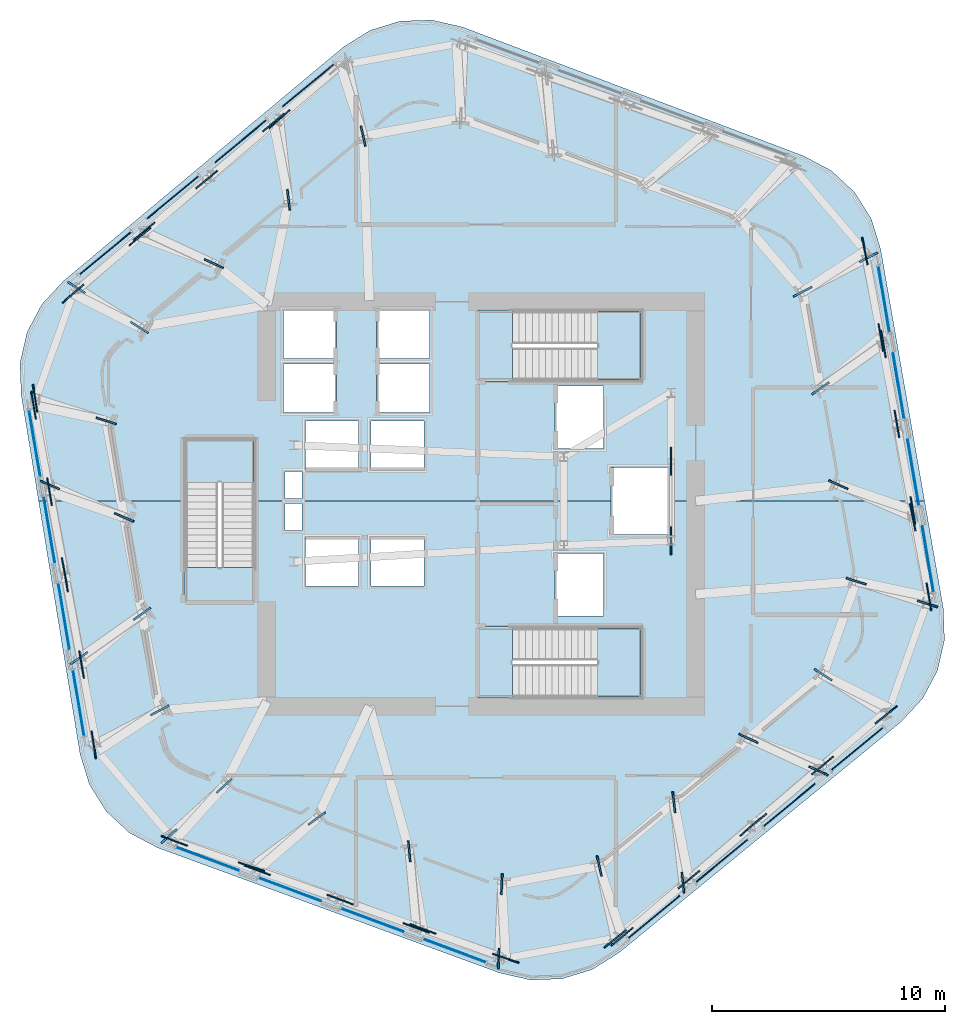
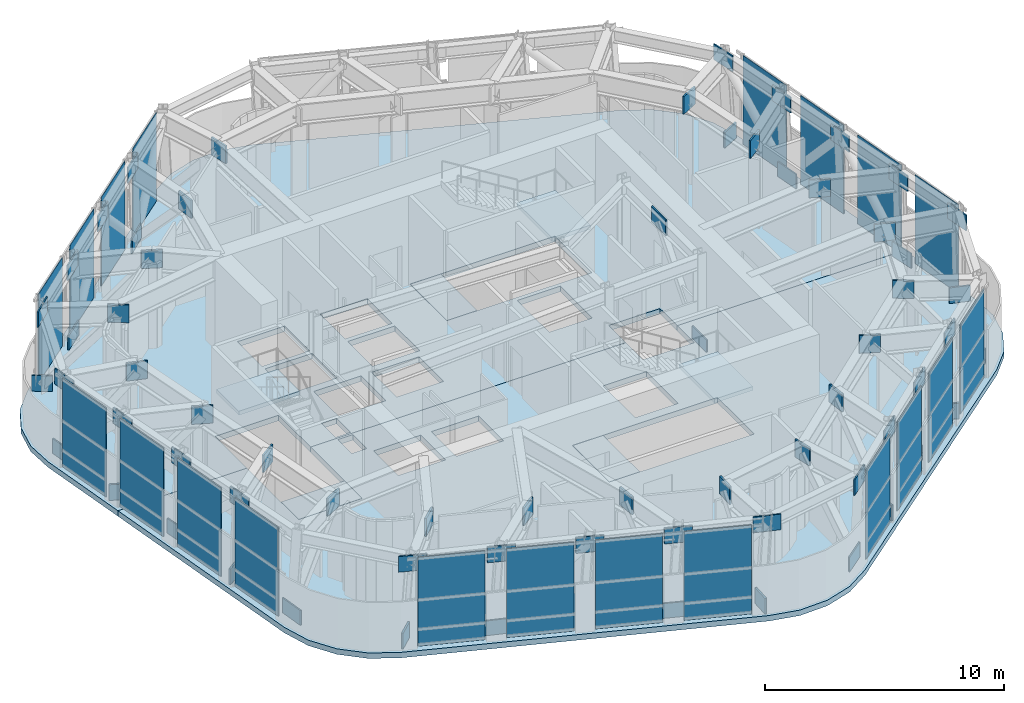
# One storey, part 7 of 16: 85 plates, 8 slabs, 8 elements without a shape of their own.
"""IFC4 building model written with IfcOpenShell, lengths in metres."""

from ifc_helpers import new_model, si_unit, direction, frame, origin, origin_2d, place, context, subcontext, project, spatial, polyline, rectangle, outline, extrude, material, layer, layer_set, type_object, element, aggregate, save


model = new_model("IFC4")

# Units and contexts
model_context = context("Model", 3, precision=1e-05, world=origin(), true_north=direction((0.0, 1.0)))
body_context = subcontext(model_context, "Body", "Model", "MODEL_VIEW")
ifc_project = project(units=[si_unit("LENGTHUNIT", "METRE"), si_unit("AREAUNIT", "SQUARE_METRE"), si_unit("VOLUMEUNIT", "CUBIC_METRE"), si_unit("PLANEANGLEUNIT", "RADIAN"), si_unit("MASSUNIT", "GRAM", prefix="KILO")], contexts=[model_context])

# Site, building, storey
site_placement = place(None, origin())
site = spatial("IfcSite", under=ifc_project, at=site_placement, CompositionType="ELEMENT")
building_placement = place(site_placement, origin())
building = spatial("IfcBuilding", under=site, at=building_placement, Name="Valkerne Bourse Tower", CompositionType="ELEMENT")
storey_placement = place(building_placement, frame((0.0, 0.0, 193.199951171875)))
storey = spatial("IfcBuildingStorey", under=building, at=storey_placement, Name="L49", CompositionType="ELEMENT", Elevation=193.199951171875)

# Curtain wall, plates
ifc_material_1 = material(Name="Aluminium AA 6063-T6", Category="aluminium")
ifc_layer_1 = layer(ifc_material_1, 0.25)
ifc_layer_set_1 = layer_set([ifc_layer_1], Name="Aluminium AA 6063-T6")
curtain_wall_type = type_object("IfcCurtainWallType", Name="CW-06", PredefinedType="NOTDEFINED", material=ifc_layer_set_1)
curtain_wall_1_placement = place(storey_placement, origin())
curtain_wall_1 = element("IfcCurtainWall", 1, at=curtain_wall_1_placement, inside=storey, type_object=curtain_wall_type, Name="L49 Hexagonal Stick Curtain Wall Face 2", PredefinedType="NOTDEFINED")
ifc_material_2 = material(Name="Bronze Anodised Aluminium AA 6063-T6", Category="aluminium")
ifc_layer_2 = layer(ifc_material_2, 0.0400390625)
ifc_layer_set_2 = layer_set([ifc_layer_2], Name="Bronze Anodised Aluminium AA 6063-T6")
plate_type_1 = type_object("IfcPlateType", Name="CW-PNL-LOUVRE-40", PredefinedType="CURTAIN_PANEL", material=ifc_layer_set_2)
plate_1_placement = place(storey_placement, frame((39.376708984375, 44.84716796875, 0.030029296875), z_axis=(0.0, 0.0, 1.0), x_axis=(-0.770503001355, -0.637436369297, 0.0)))
plate_1 = element("IfcPlate", 2, at=plate_1_placement, type_object=plate_type_1, Name="CW-L49-F2 Curtain Panel 00", PredefinedType="CURTAIN_PANEL", context=body_context, shape_type="SweptSolid", body=[
    extrude(rectangle(XDim=2.85107421875, YDim=0.0400390625, at=origin_2d()), origin(), (0.0, 0.0, 1.0), 4.5400390625),
])
plate_2_placement = place(storey_placement, frame((36.47119140625, 42.443359375, 0.030029296875), z_axis=(0.0, 0.0, 1.0), x_axis=(-0.770516025568, -0.637420625915, 0.0)))
plate_2 = element("IfcPlate", 3, at=plate_2_placement, type_object=plate_type_1, Name="CW-L49-F2 Curtain Panel 01", PredefinedType="CURTAIN_PANEL", context=body_context, shape_type="SweptSolid", body=[
    extrude(rectangle(XDim=2.85107421875, YDim=0.0400390625, at=origin_2d()), origin(), (0.0, 0.0, 1.0), 4.5400390625),
])
plate_3_placement = place(storey_placement, frame((33.565673828125, 40.039794921875, 0.030029296875), z_axis=(0.0, 0.0, 1.0), x_axis=(-0.770516025568, -0.637420625915, 0.0)))
plate_3 = element("IfcPlate", 4, at=plate_3_placement, type_object=plate_type_1, Name="CW-L49-F2 Curtain Panel 02", PredefinedType="CURTAIN_PANEL", context=body_context, shape_type="SweptSolid", body=[
    extrude(rectangle(XDim=2.85107421875, YDim=0.0400390625, at=origin_2d()), origin(), (0.0, 0.0, 1.0), 4.5400390625),
])
plate_4_placement = place(storey_placement, frame((30.659912109375, 37.635986328125, 0.030029296875), z_axis=(0.0, 0.0, 1.0), x_axis=(-0.770503001355, -0.637436369297, 0.0)))
plate_4 = element("IfcPlate", 5, at=plate_4_placement, type_object=plate_type_1, Name="CW-L49-F2 Curtain Panel 03", PredefinedType="CURTAIN_PANEL", context=body_context, shape_type="SweptSolid", body=[
    extrude(rectangle(XDim=2.85107421875, YDim=0.0400390625, at=origin_2d()), origin(), (0.0, 0.0, 1.0), 4.5400390625),
])
aggregate(curtain_wall_1, [plate_1, plate_2, plate_3, plate_4])

curtain_wall_2_placement = place(storey_placement, origin())
curtain_wall_2 = element("IfcCurtainWall", 6, at=curtain_wall_2_placement, inside=storey, type_object=curtain_wall_type, Name="L49 Hexagonal Stick Curtain Wall Face 3", PredefinedType="NOTDEFINED")
plate_5_placement = place(storey_placement, frame((27.63232421875, 29.494873046875, 0.030029296875), z_axis=(0.0, 0.0, 1.0), x_axis=(0.166772238259, -0.985995446514, 0.0)))
plate_5 = element("IfcPlate", 7, at=plate_5_placement, type_object=plate_type_1, Name="CW-L49-F3 Curtain Panel 00", PredefinedType="CURTAIN_PANEL", context=body_context, shape_type="SweptSolid", body=[
    extrude(rectangle(XDim=2.85107421875, YDim=0.0400390625, at=origin_2d()), origin(), (0.0, 0.0, 1.0), 4.5400390625),
])
plate_6_placement = place(storey_placement, frame((28.26123046875, 25.776611328125, 0.030029296875), z_axis=(0.0, 0.0, 1.0), x_axis=(0.166746457546, -0.985999806742, 0.0)))
plate_6 = element("IfcPlate", 8, at=plate_6_placement, type_object=plate_type_1, Name="CW-L49-F3 Curtain Panel 01", PredefinedType="CURTAIN_PANEL", context=body_context, shape_type="SweptSolid", body=[
    extrude(rectangle(XDim=2.85107421875, YDim=0.0400390625, at=origin_2d()), origin(), (0.0, 0.0, 1.0), 4.5400390625),
])
plate_7_placement = place(storey_placement, frame((28.889892578125, 22.05859375, 0.030029296875), z_axis=(0.0, 0.0, 1.0), x_axis=(0.166772238259, -0.985995446514, 0.0)))
plate_7 = element("IfcPlate", 9, at=plate_7_placement, type_object=plate_type_1, Name="CW-L49-F3 Curtain Panel 02", PredefinedType="CURTAIN_PANEL", context=body_context, shape_type="SweptSolid", body=[
    extrude(rectangle(XDim=2.85107421875, YDim=0.0400390625, at=origin_2d()), origin(), (0.0, 0.0, 1.0), 4.5400390625),
])
plate_8_placement = place(storey_placement, frame((29.518798828125, 18.34033203125, 0.030029296875), z_axis=(0.0, 0.0, 1.0), x_axis=(0.166772238259, -0.985995446514, 0.0)))
plate_8 = element("IfcPlate", 10, at=plate_8_placement, type_object=plate_type_1, Name="CW-L49-F3 Curtain Panel 03", PredefinedType="CURTAIN_PANEL", context=body_context, shape_type="SweptSolid", body=[
    extrude(rectangle(XDim=2.85107421875, YDim=0.0400390625, at=origin_2d()), origin(), (0.0, 0.0, 1.0), 4.5400390625),
])
aggregate(curtain_wall_2, [plate_5, plate_6, plate_7, plate_8])

curtain_wall_3_placement = place(storey_placement, origin())
curtain_wall_3 = element("IfcCurtainWall", 11, at=curtain_wall_3_placement, inside=storey, type_object=curtain_wall_type, Name="L49 Hexagonal Stick Curtain Wall Face 4", PredefinedType="NOTDEFINED")
plate_9_placement = place(storey_placement, frame((35.055419921875, 11.647705078125, 0.030029296875), z_axis=(0.0, 0.0, 1.0), x_axis=(0.937279283548, -0.348579323298, 0.0)))
plate_9 = element("IfcPlate", 12, at=plate_9_placement, type_object=plate_type_1, Name="CW-L49-F4 Curtain Panel 00", PredefinedType="CURTAIN_PANEL", context=body_context, shape_type="SweptSolid", body=[
    extrude(rectangle(XDim=2.85107421875, YDim=0.0400390625, at=origin_2d()), origin(), (0.0, 0.0, 1.0), 4.5400390625),
])
plate_10_placement = place(storey_placement, frame((38.590087890625, 10.333251953125, 0.030029296875), z_axis=(0.0, 0.0, 1.0), x_axis=(0.9372879472, -0.348556027107, 0.0)))
plate_10 = element("IfcPlate", 13, at=plate_10_placement, type_object=plate_type_1, Name="CW-L49-F4 Curtain Panel 01", PredefinedType="CURTAIN_PANEL", context=body_context, shape_type="SweptSolid", body=[
    extrude(rectangle(XDim=2.850830078125, YDim=0.0400390625, at=origin_2d()), origin(), (0.0, 0.0, 1.0), 4.5400390625),
])
plate_11_placement = place(storey_placement, frame((42.12451171875, 9.018798828125, 0.030029296875), z_axis=(0.0, 0.0, 1.0), x_axis=(0.937279283548, -0.348579323298, 0.0)))
plate_11 = element("IfcPlate", 14, at=plate_11_placement, type_object=plate_type_1, Name="CW-L49-F4 Curtain Panel 02", PredefinedType="CURTAIN_PANEL", context=body_context, shape_type="SweptSolid", body=[
    extrude(rectangle(XDim=2.85107421875, YDim=0.0400390625, at=origin_2d()), origin(), (0.0, 0.0, 1.0), 4.5400390625),
])
plate_12_placement = place(storey_placement, frame((45.658935546875, 7.704345703125, 0.030029296875), z_axis=(0.0, 0.0, 1.0), x_axis=(0.937279283548, -0.348579323298, 0.0)))
plate_12 = element("IfcPlate", 15, at=plate_12_placement, type_object=plate_type_1, Name="CW-L49-F4 Curtain Panel 03", PredefinedType="CURTAIN_PANEL", context=body_context, shape_type="SweptSolid", body=[
    extrude(rectangle(XDim=2.85107421875, YDim=0.0400390625, at=origin_2d()), origin(), (0.0, 0.0, 1.0), 4.5400390625),
])
aggregate(curtain_wall_3, [plate_9, plate_10, plate_11, plate_12])

curtain_wall_4_placement = place(storey_placement, origin())
curtain_wall_4 = element("IfcCurtainWall", 16, at=curtain_wall_4_placement, inside=storey, type_object=curtain_wall_type, Name="L49 Hexagonal Stick Curtain Wall Face 5", PredefinedType="NOTDEFINED")
plate_13_placement = place(storey_placement, frame((54.22314453125, 9.15283203125, 0.030029296875), z_axis=(0.0, 0.0, 1.0), x_axis=(0.770503001355, 0.637436369297, 0.0)))
plate_13 = element("IfcPlate", 17, at=plate_13_placement, type_object=plate_type_1, Name="CW-L49-F5 Curtain Panel 00", PredefinedType="CURTAIN_PANEL", context=body_context, shape_type="SweptSolid", body=[
    extrude(rectangle(XDim=2.85107421875, YDim=0.0400390625, at=origin_2d()), origin(), (0.0, 0.0, 1.0), 4.5400390625),
])
plate_14_placement = place(storey_placement, frame((57.12890625, 11.556640625, 0.030029296875), z_axis=(0.0, 0.0, 1.0), x_axis=(0.770516025568, 0.637420625915, 0.0)))
plate_14 = element("IfcPlate", 18, at=plate_14_placement, type_object=plate_type_1, Name="CW-L49-F5 Curtain Panel 01", PredefinedType="CURTAIN_PANEL", context=body_context, shape_type="SweptSolid", body=[
    extrude(rectangle(XDim=2.85107421875, YDim=0.0400390625, at=origin_2d()), origin(), (0.0, 0.0, 1.0), 4.5400390625),
])
plate_15_placement = place(storey_placement, frame((60.034423828125, 13.960205078125, 0.030029296875), z_axis=(0.0, 0.0, 1.0), x_axis=(0.770516025568, 0.637420625915, 0.0)))
plate_15 = element("IfcPlate", 19, at=plate_15_placement, type_object=plate_type_1, Name="CW-L49-F5 Curtain Panel 02", PredefinedType="CURTAIN_PANEL", context=body_context, shape_type="SweptSolid", body=[
    extrude(rectangle(XDim=2.85107421875, YDim=0.0400390625, at=origin_2d()), origin(), (0.0, 0.0, 1.0), 4.5400390625),
])
plate_16_placement = place(storey_placement, frame((62.93994140625, 16.364013671875, 0.030029296875), z_axis=(0.0, 0.0, 1.0), x_axis=(0.770503001355, 0.637436369297, 0.0)))
plate_16 = element("IfcPlate", 20, at=plate_16_placement, type_object=plate_type_1, Name="CW-L49-F5 Curtain Panel 03", PredefinedType="CURTAIN_PANEL", context=body_context, shape_type="SweptSolid", body=[
    extrude(rectangle(XDim=2.85107421875, YDim=0.0400390625, at=origin_2d()), origin(), (0.0, 0.0, 1.0), 4.5400390625),
])
aggregate(curtain_wall_4, [plate_13, plate_14, plate_15, plate_16])

curtain_wall_5_placement = place(storey_placement, origin())
curtain_wall_5 = element("IfcCurtainWall", 21, at=curtain_wall_5_placement, inside=storey, type_object=curtain_wall_type, Name="L49 Hexagonal Stick Curtain Wall Face 6", PredefinedType="NOTDEFINED")
plate_17_placement = place(storey_placement, frame((65.9677734375, 24.505126953125, 0.030029296875), z_axis=(0.0, 0.0, 1.0), x_axis=(-0.166772238259, 0.985995446514, 0.0)))
plate_17 = element("IfcPlate", 22, at=plate_17_placement, type_object=plate_type_1, Name="CW-L49-F6 Curtain Panel 00", PredefinedType="CURTAIN_PANEL", context=body_context, shape_type="SweptSolid", body=[
    extrude(rectangle(XDim=2.85107421875, YDim=0.0400390625, at=origin_2d()), origin(), (0.0, 0.0, 1.0), 4.5400390625),
])
plate_18_placement = place(storey_placement, frame((65.3388671875, 28.223388671875, 0.030029296875), z_axis=(0.0, 0.0, 1.0), x_axis=(-0.166746457546, 0.985999806742, 0.0)))
plate_18 = element("IfcPlate", 23, at=plate_18_placement, type_object=plate_type_1, Name="CW-L49-F6 Curtain Panel 01", PredefinedType="CURTAIN_PANEL", context=body_context, shape_type="SweptSolid", body=[
    extrude(rectangle(XDim=2.85107421875, YDim=0.0400390625, at=origin_2d()), origin(), (0.0, 0.0, 1.0), 4.5400390625),
])
plate_19_placement = place(storey_placement, frame((64.7099609375, 31.94140625, 0.030029296875), z_axis=(0.0, 0.0, 1.0), x_axis=(-0.166772238259, 0.985995446514, 0.0)))
plate_19 = element("IfcPlate", 24, at=plate_19_placement, type_object=plate_type_1, Name="CW-L49-F6 Curtain Panel 02", PredefinedType="CURTAIN_PANEL", context=body_context, shape_type="SweptSolid", body=[
    extrude(rectangle(XDim=2.85107421875, YDim=0.0400390625, at=origin_2d()), origin(), (0.0, 0.0, 1.0), 4.5400390625),
])
plate_20_placement = place(storey_placement, frame((64.0810546875, 35.65966796875, 0.030029296875), z_axis=(0.0, 0.0, 1.0), x_axis=(-0.166772238259, 0.985995446514, 0.0)))
plate_20 = element("IfcPlate", 25, at=plate_20_placement, type_object=plate_type_1, Name="CW-L49-F6 Curtain Panel 03", PredefinedType="CURTAIN_PANEL", context=body_context, shape_type="SweptSolid", body=[
    extrude(rectangle(XDim=2.85107421875, YDim=0.0400390625, at=origin_2d()), origin(), (0.0, 0.0, 1.0), 4.5400390625),
])
aggregate(curtain_wall_5, [plate_17, plate_18, plate_19, plate_20])

# Plates
ifc_material_3 = material(Name="Steel ASTM A572 Grade 50", Category="steel")
ifc_layer_3 = layer(ifc_material_3, 0.06005859375)
ifc_layer_set_3 = layer_set([ifc_layer_3], Name="Steel ASTM A572 Grade 50")
plate_type_2 = type_object("IfcPlateType", Name="PLT-GUS-60", PredefinedType="SHEET", material=ifc_layer_set_3)
for number, where, z_axis, x_axis, name in (
    (26, (37.884521484375, 43.245361328125, 3.75), (0.0, 0.0, 1.0), (-0.770513242776, -0.637423989749, 0.0), "L49 Belt Truss Gusset Plate GP-070"),
    (27, (35.016845703125, 40.796142578125, 3.75), (0.0, 0.0, 1.0), (-0.770513242776, -0.637423989749, 0.0), "L49 Belt Truss Gusset Plate GP-071"),
    (28, (32.1494140625, 38.34716796875, 3.75), (0.0, 0.0, 1.0), (-0.770513242776, -0.637423989749, 0.0), "L49 Belt Truss Gusset Plate GP-072"),
    (29, (27.586181640625, 31.109375, 3.75), (0.0, 0.0, 1.0), (0.166768746716, -0.985996037071, 0.0), "L49 Belt Truss Gusset Plate GP-073"),
    (30, (28.2734375, 27.401611328125, 3.75), (0.0, 0.0, 1.0), (0.166768746716, -0.985996037071, 0.0), "L49 Belt Truss Gusset Plate GP-074"),
    (31, (28.960693359375, 23.693603515625, 3.75), (0.0, 0.0, 1.0), (0.166768746716, -0.985996037071, 0.0), "L49 Belt Truss Gusset Plate GP-075"),
    (32, (29.647705078125, 19.98583984375, 3.75), (0.0, 0.0, 1.0), (0.166768746716, -0.985996037071, 0.0), "L49 Belt Truss Gusset Plate GP-076"),
    (33, (33.63427734375, 12.4150390625, 3.75), (0.0, 0.0, 1.0), (0.937281989492, -0.348572047322, 0.0), "L49 Belt Truss Gusset Plate GP-077"),
    (34, (37.18896484375, 11.15625, 3.75), (0.0, 0.0, 1.0), (0.937281989492, -0.348572047322, 0.0), "L49 Belt Truss Gusset Plate GP-078"),
    (35, (40.74365234375, 9.8974609375, 3.75), (0.0, 0.0, 1.0), (0.937281989492, -0.348572047322, 0.0), "L49 Belt Truss Gusset Plate GP-079"),
    (36, (44.29833984375, 8.638671875, 3.75), (0.0, 0.0, 1.0), (0.937281989492, -0.348572047322, 0.0), "L49 Belt Truss Gusset Plate GP-080"),
    (37, (52.84814453125, 8.3056640625, 3.75), (0.0, 0.0, 1.0), (0.770513242776, 0.637423989749, 0.0), "L49 Belt Truss Gusset Plate GP-081"),
    (38, (55.715576171875, 10.754638671875, 3.75), (0.0, 0.0, 1.0), (0.770513242776, 0.637423989749, 0.0), "L49 Belt Truss Gusset Plate GP-082"),
    (39, (58.5830078125, 13.203857421875, 3.75), (0.0, 0.0, 1.0), (0.770513242776, 0.637423989749, 0.0), "L49 Belt Truss Gusset Plate GP-083"),
    (40, (61.45068359375, 15.65283203125, 3.75), (0.0, 0.0, 1.0), (0.770513242776, 0.637423989749, 0.0), "L49 Belt Truss Gusset Plate GP-084"),
    (41, (66.013916015625, 22.890625, 3.75), (0.0, 0.0, 1.0), (-0.166768746716, 0.985996037071, 0.0), "L49 Belt Truss Gusset Plate GP-085"),
    (42, (65.32666015625, 26.598388671875, 3.75), (0.0, 0.0, 1.0), (-0.166768746716, 0.985996037071, 0.0), "L49 Belt Truss Gusset Plate GP-086"),
    (43, (64.639404296875, 30.306396484375, 3.75), (0.0, 0.0, 1.0), (-0.166768746716, 0.985996037071, 0.0), "L49 Belt Truss Gusset Plate GP-087"),
    (44, (63.9521484375, 34.01416015625, 3.75), (0.0, 0.0, 1.0), (-0.166768746716, 0.985996037071, 0.0), "L49 Belt Truss Gusset Plate GP-088"),
    (45, (38.140625, 43.38330078125, -0.0498046875), (0.0, 0.0, 1.0), (0.748840060367, 0.662750755556, 0.0), "L49 Brace Node Gusset Plate PLT-GUS-END-L49-233"),
    (46, (32.32958984375, 38.575927734375, -0.0498046875), (0.0, 0.0, 1.0), (0.770958060864, 0.636885914735, 0.0), "L49 Brace Node Gusset Plate PLT-GUS-END-L49-234"),
    (47, (29.281982421875, 35.898193359375, 3.85009765625), (0.0, 0.0, 1.0), (-0.751264133504, -0.660001667961, 0.0), "L49 Brace Node Gusset Plate PLT-GUS-END-L49-235"),
    (48, (27.653076171875, 31.41064453125, -0.0498046875), (0.0, 0.0, 1.0), (0.152985836284, -0.988228381447, 0.0), "L49 Brace Node Gusset Plate PLT-GUS-END-L49-236"),
    (49, (28.910888671875, 23.974365234375, -0.0498046875), (0.0, 0.0, 1.0), (-0.182921922448, 0.983127443564, 0.0), "L49 Brace Node Gusset Plate PLT-GUS-END-L49-237"),
    (50, (30.168701171875, 16.537841796875, -0.0498046875), (0.0, 0.0, 1.0), (-0.149362770624, 0.988782464828, 0.0), "L49 Brace Node Gusset Plate PLT-GUS-END-L49-238"),
    (51, (36.94140625, 11.30908203125, -0.0498046875), (0.0, 0.0, 1.0), (-0.948379020872, 0.317139137872, 0.0), "L49 Brace Node Gusset Plate PLT-GUS-END-L49-239"),
    (52, (44.01025390625, 8.68017578125, -0.0498046875), (0.0, 0.0, 1.0), (-0.937038411905, 0.349226308593, 0.0), "L49 Brace Node Gusset Plate PLT-GUS-END-L49-240"),
    (53, (47.85302734375, 7.3798828125, 3.85009765625), (0.0, 0.0, 1.0), (0.947266220842, -0.320447666323, 0.0), "L49 Brace Node Gusset Plate PLT-GUS-END-L49-241"),
    (54, (52.5537109375, 8.212890625, -0.0498046875), (0.0, 0.0, 1.0), (0.779337964931, 0.626603811364, 0.0), "L49 Brace Node Gusset Plate PLT-GUS-END-L49-242"),
    (55, (58.364990234375, 13.0205078125, -0.0498046875), (0.0, 0.0, 1.0), (-0.75995238006, -0.649978753531, 0.0), "L49 Brace Node Gusset Plate PLT-GUS-END-L49-243"),
    (56, (64.176025390625, 17.827880859375, -0.0498046875), (0.0, 0.0, 1.0), (-0.781629348046, -0.623743186154, 0.0), "L49 Brace Node Gusset Plate PLT-GUS-END-L49-244"),
    (57, (65.318115234375, 26.3076171875, -0.0498046875), (0.0, 0.0, 1.0), (0.199538960505, -0.979889893427, 0.0), "L49 Brace Node Gusset Plate PLT-GUS-END-L49-245"),
    (58, (64.060302734375, 33.743896484375, -0.0498046875), (0.0, 0.0, 1.0), (0.166080351041, -0.986112223329, 0.0), "L49 Brace Node Gusset Plate PLT-GUS-END-L49-246"),
    (59, (63.264892578125, 37.721923828125, 3.85009765625), (0.0, 0.0, 1.0), (-0.196117290802, 0.980580444557, 0.0), "L49 Brace Node Gusset Plate PLT-GUS-END-L49-247"),
    (60, (54.949951171875, 25.300048828125, -0.18017578125), (0.0, 0.0, 1.0), (0.0, 1.0, 0.0), "L49 Brace Node Gusset Plate PLT-GUS-END-L49-414"),
    (61, (54.949951171875, 28.699951171875, 3.89404296875), (0.0, 0.0, 1.0), (0.0, 1.0, 0.0), "L49 Brace Node Gusset Plate PLT-GUS-END-L49-415"),
):
    element("IfcPlate", number, at=place(storey_placement, frame(where, z_axis=z_axis, x_axis=x_axis)), inside=storey, type_object=plate_type_2, Name=name, PredefinedType="SHEET", context=body_context, shape_type="SweptSolid", body=[
        extrude(rectangle(XDim=1.199951171875, YDim=0.06005859375, at=origin_2d()), origin(), (0.0, 0.0, 1.0), 0.800048828125),
    ])
ifc_layer_4 = layer(ifc_material_3, 0.080078125)
ifc_layer_set_4 = layer_set([ifc_layer_4], Name="Steel ASTM A572 Grade 50")
plate_type_3 = type_object("IfcPlateType", Name="PLT-GUS-80", PredefinedType="SHEET", material=ifc_layer_set_4)
for number, where, z_axis, x_axis, name in (
    (62, (41.7333984375, 42.660400390625, 3.61669921875), (0.0, 0.0, 1.0), (0.214564862428, -0.976709741843, 0.0), "L49 Brace Node Gusset Plate PLT-GUS-END-L49-255"),
    (63, (38.530517578125, 39.925048828125, 3.61669921875), (0.0, 0.0, 1.0), (0.111989252568, -0.993709417943, 0.0), "L49 Brace Node Gusset Plate PLT-GUS-END-L49-256"),
    (64, (35.327880859375, 37.189453125, 3.61669921875), (0.0, 0.0, 1.0), (0.907631006833, -0.419768931003, 0.0), "L49 Brace Node Gusset Plate PLT-GUS-END-L49-257"),
    (65, (29.423828125, 36.172119140625, -0.099853515625), (0.0, 0.0, 1.0), (0.843766346142, -0.536710679153, 0.0), "L49 Brace Node Gusset Plate PLT-GUS-END-L49-258"),
    (66, (32.125, 34.4541015625, 3.61669921875), (0.0, 0.0, 1.0), (0.843766346142, -0.536710679153, 0.0), "L49 Brace Node Gusset Plate PLT-GUS-END-L49-259"),
    (67, (30.704345703125, 30.4423828125, 3.61669921875), (0.0, 0.0, 1.0), (0.953190667793, -0.30236989075, 0.0), "L49 Brace Node Gusset Plate PLT-GUS-END-L49-260"),
    (68, (28.281982421875, 27.6923828125, -0.099853515625), (0.0, 0.0, 1.0), (0.916572226203, -0.399869171297, 0.0), "L49 Brace Node Gusset Plate PLT-GUS-END-L49-261"),
    (69, (31.471923828125, 26.301025390625, 3.61669921875), (0.0, 0.0, 1.0), (0.916572226203, -0.399869171297, 0.0), "L49 Brace Node Gusset Plate PLT-GUS-END-L49-262"),
    (70, (29.539794921875, 20.256103515625, -0.099853515625), (0.0, 0.0, 1.0), (0.817346061384, 0.576147043678, 0.0), "L49 Brace Node Gusset Plate PLT-GUS-END-L49-263"),
    (71, (32.239501953125, 22.159423828125, 3.61669921875), (0.0, 0.0, 1.0), (0.817346061384, 0.576147043678, 0.0), "L49 Brace Node Gusset Plate PLT-GUS-END-L49-264"),
    (72, (33.007080078125, 18.01806640625, 3.61669921875), (0.0, 0.0, 1.0), (0.886688255701, 0.462367751041, 0.0), "L49 Brace Node Gusset Plate PLT-GUS-END-L49-265"),
    (73, (33.40673828125, 12.62353515625, -0.099853515625), (0.0, 0.0, 1.0), (0.738455340626, 0.674302387584, 0.0), "L49 Brace Node Gusset Plate PLT-GUS-END-L49-266"),
    (74, (35.77099609375, 14.781982421875, 3.61669921875), (0.0, 0.0, 1.0), (0.738455340626, 0.674302387584, 0.0), "L49 Brace Node Gusset Plate PLT-GUS-END-L49-267"),
    (75, (39.741455078125, 13.3759765625, 3.61669921875), (0.0, 0.0, 1.0), (0.804582973635, 0.593840246647, 0.0), "L49 Brace Node Gusset Plate PLT-GUS-END-L49-268"),
    (76, (43.7119140625, 11.969970703125, 3.61669921875), (0.0, 0.0, 1.0), (-0.090284945449, 0.995915974681, 0.0), "L49 Brace Node Gusset Plate PLT-GUS-END-L49-269"),
    (77, (47.544921875, 7.36572265625, -0.099853515625), (0.0, 0.0, 1.0), (0.042921909558, 0.999078430194, 0.0), "L49 Brace Node Gusset Plate PLT-GUS-END-L49-270"),
    (78, (47.68212890625, 10.56396484375, 3.61669921875), (0.0, 0.0, 1.0), (0.042921909558, 0.999078430194, 0.0), "L49 Brace Node Gusset Plate PLT-GUS-END-L49-271"),
    (79, (51.86669921875, 11.339599609375, 3.61669921875), (0.0, 0.0, 1.0), (-0.214564862428, 0.976709741843, 0.0), "L49 Brace Node Gusset Plate PLT-GUS-END-L49-272"),
    (80, (55.459228515625, 10.61669921875, -0.099853515625), (0.0, 0.0, 1.0), (-0.111989252568, 0.993709417943, 0.0), "L49 Brace Node Gusset Plate PLT-GUS-END-L49-273"),
    (81, (55.0693359375, 14.074951171875, 3.61669921875), (0.0, 0.0, 1.0), (-0.111989252568, 0.993709417943, 0.0), "L49 Brace Node Gusset Plate PLT-GUS-END-L49-274"),
    (82, (61.2705078125, 15.424072265625, -0.099853515625), (0.0, 0.0, 1.0), (-0.907631006833, 0.419768931003, 0.0), "L49 Brace Node Gusset Plate PLT-GUS-END-L49-275"),
    (83, (58.272216796875, 16.810546875, 3.61669921875), (0.0, 0.0, 1.0), (-0.907631006833, 0.419768931003, 0.0), "L49 Brace Node Gusset Plate PLT-GUS-END-L49-276"),
    (84, (61.47509765625, 19.5458984375, 3.61669921875), (0.0, 0.0, 1.0), (-0.843766346142, 0.536710679153, 0.0), "L49 Brace Node Gusset Plate PLT-GUS-END-L49-277"),
    (85, (65.947021484375, 22.58935546875, -0.099853515625), (0.0, 0.0, 1.0), (-0.953190667793, 0.30236989075, 0.0), "L49 Brace Node Gusset Plate PLT-GUS-END-L49-278"),
    (86, (62.8955078125, 23.5576171875, 3.61669921875), (0.0, 0.0, 1.0), (-0.953190667793, 0.30236989075, 0.0), "L49 Brace Node Gusset Plate PLT-GUS-END-L49-279"),
    (87, (62.1279296875, 27.698974609375, 3.61669921875), (0.0, 0.0, 1.0), (-0.916572226203, 0.399869171297, 0.0), "L49 Brace Node Gusset Plate PLT-GUS-END-L49-280"),
    (88, (61.360595703125, 31.840576171875, 3.61669921875), (0.0, 0.0, 1.0), (-0.817346061384, -0.576147043678, 0.0), "L49 Brace Node Gusset Plate PLT-GUS-END-L49-281"),
    (89, (63.431396484375, 37.462158203125, -0.099853515625), (0.0, 0.0, 1.0), (-0.886688255701, -0.462367751041, 0.0), "L49 Brace Node Gusset Plate PLT-GUS-END-L49-282"),
    (90, (60.593017578125, 35.98193359375, 3.61669921875), (0.0, 0.0, 1.0), (-0.886688255701, -0.462367751041, 0.0), "L49 Brace Node Gusset Plate PLT-GUS-END-L49-283"),
):
    element("IfcPlate", number, at=place(storey_placement, frame(where, z_axis=z_axis, x_axis=x_axis)), inside=storey, type_object=plate_type_3, Name=name, PredefinedType="SHEET", context=body_context, shape_type="SweptSolid", body=[
        extrude(rectangle(XDim=0.89990234375, YDim=0.080078125, at=origin_2d()), origin(), (0.0, 0.0, 1.0), 0.89990234375),
    ])

# Slabs
ifc_material_4 = material(Name="Concrete C40/50", Category="concrete")
ifc_layer_5 = layer(ifc_material_4, 0.280029296875)
ifc_layer_set_5 = layer_set([ifc_layer_5], Name="Concrete C40/50")
slab_type_1 = type_object("IfcSlabType", Name="SLB-PLT-280", PredefinedType="FLOOR", material=ifc_layer_set_5)
slab_1_placement = place(storey_placement, frame((0.0, 0.0, -0.280029296875)))
element("IfcSlab", 91, at=slab_1_placement, inside=storey, type_object=slab_type_1, Name="L49 Hexagonal Composite Floor Slab S", PredefinedType="FLOOR", context=body_context, shape_type="SweptSolid", body=[
    extrude(outline(polyline([(66.681884765625, 21.0419921875), (66.378662109375, 19.71875), (65.743408203125, 18.51904296875), (64.819580078125, 17.524658203125), (52.715576171875, 7.6162109375), (51.5654296875, 6.894775390625), (50.26806640625, 6.49560546875), (48.91162109375, 6.44580078125), (47.58837890625, 6.7490234375), (32.89892578125, 12.125732421875), (31.69921875, 12.760986328125), (30.704833984375, 13.684814453125), (29.9833984375, 14.8349609375), (29.584228515625, 16.13232421875), (27.803955078125, 27.0), (34.034912109375, 27.0), (34.034912109375, 22.6650390625), (37.114990234375, 22.6650390625), (37.114990234375, 27.0), (52.360107421875, 27.0), (52.360107421875, 25.56005859375), (54.840087890625, 25.56005859375), (54.840087890625, 27.0), (65.829345703125, 27.0), (66.632080078125, 22.3984375), (66.681884765625, 21.0419921875)]), holes=[polyline([(41.5400390625, 25.43994140625), (39.260009765625, 25.43994140625), (39.260009765625, 23.360107421875), (41.5400390625, 23.360107421875), (41.5400390625, 25.43994140625)]), polyline([(44.340087890625, 25.43994140625), (42.06005859375, 25.43994140625), (42.06005859375, 23.360107421875), (44.340087890625, 23.360107421875), (44.340087890625, 25.43994140625)]), polyline([(39.10009765625, 26.89990234375), (38.3798828125, 26.89990234375), (38.3798828125, 25.72998046875), (39.10009765625, 25.72998046875), (39.10009765625, 26.89990234375)]), polyline([(53.675048828125, 21.614990234375), (46.6650390625, 21.614990234375), (46.6650390625, 18.534912109375), (53.675048828125, 18.534912109375), (53.675048828125, 21.614990234375)]), polyline([(52.0400390625, 24.739990234375), (49.9599609375, 24.739990234375), (49.9599609375, 22.06005859375), (52.0400390625, 22.06005859375), (52.0400390625, 24.739990234375)])]), origin(), (0.0, 0.0, 1.0), 0.280029296875),
])
slab_2_placement = place(storey_placement, frame((0.0, 0.0, -0.280029296875)))
element("IfcSlab", 92, at=slab_2_placement, inside=storey, type_object=slab_type_1, Name="L49 Hexagonal Composite Floor Slab N", PredefinedType="FLOOR", context=body_context, shape_type="SweptSolid", body=[
    extrude(outline(polyline([(27.055419921875, 31.569091796875), (27.005615234375, 32.925537109375), (27.30859375, 34.248779296875), (27.94384765625, 35.448486328125), (28.867919921875, 36.44287109375), (40.868896484375, 46.475830078125), (42.018798828125, 47.197265625), (43.31640625, 47.59619140625), (44.673095703125, 47.64599609375), (45.99609375, 47.343017578125), (60.629150390625, 41.814697265625), (61.828857421875, 41.1796875), (62.8232421875, 40.255615234375), (63.544677734375, 39.105712890625), (63.94384765625, 37.80810546875), (65.829345703125, 27.0), (54.840087890625, 27.0), (54.840087890625, 28.43994140625), (52.360107421875, 28.43994140625), (52.360107421875, 27.0), (37.114990234375, 27.0), (37.114990234375, 29.675048828125), (34.034912109375, 29.675048828125), (34.034912109375, 27.0), (27.803955078125, 27.0), (27.055419921875, 31.569091796875)]), holes=[polyline([(39.10009765625, 28.27001953125), (38.3798828125, 28.27001953125), (38.3798828125, 27.10009765625), (39.10009765625, 27.10009765625), (39.10009765625, 28.27001953125)]), polyline([(41.5400390625, 30.43994140625), (39.260009765625, 30.43994140625), (39.260009765625, 28.360107421875), (41.5400390625, 28.360107421875), (41.5400390625, 30.43994140625)]), polyline([(40.590087890625, 32.889892578125), (38.31005859375, 32.889892578125), (38.31005859375, 30.81005859375), (40.590087890625, 30.81005859375), (40.590087890625, 32.889892578125)]), polyline([(40.590087890625, 35.18994140625), (38.31005859375, 35.18994140625), (38.31005859375, 33.110107421875), (40.590087890625, 33.110107421875), (40.590087890625, 35.18994140625)]), polyline([(44.340087890625, 30.43994140625), (42.06005859375, 30.43994140625), (42.06005859375, 28.360107421875), (44.340087890625, 28.360107421875), (44.340087890625, 30.43994140625)]), polyline([(52.0400390625, 31.93994140625), (49.9599609375, 31.93994140625), (49.9599609375, 29.260009765625), (52.0400390625, 29.260009765625), (52.0400390625, 31.93994140625)]), polyline([(44.590087890625, 32.889892578125), (42.31005859375, 32.889892578125), (42.31005859375, 30.81005859375), (44.590087890625, 30.81005859375), (44.590087890625, 32.889892578125)]), polyline([(53.675048828125, 35.215087890625), (46.6650390625, 35.215087890625), (46.6650390625, 32.135009765625), (53.675048828125, 32.135009765625), (53.675048828125, 35.215087890625)]), polyline([(44.590087890625, 35.18994140625), (42.31005859375, 35.18994140625), (42.31005859375, 33.110107421875), (44.590087890625, 33.110107421875), (44.590087890625, 35.18994140625)])]), origin(), (0.0, 0.0, 1.0), 0.280029296875),
])
ifc_layer_6 = layer(ifc_material_4, 0.25)
ifc_layer_set_6 = layer_set([ifc_layer_6], Name="Concrete C40/50")
slab_type_2 = type_object("IfcSlabType", Name="SLB-RMP-LND-250", PredefinedType="LANDING", material=ifc_layer_set_6)
slab_3_placement = place(storey_placement, frame((0.0, 0.0, -0.280029296875)))
element("IfcSlab", 93, at=slab_3_placement, inside=storey, type_object=slab_type_2, Name="L49 ST-1 Floor Landing Slab", PredefinedType="LANDING", context=body_context, shape_type="SweptSolid", body=[
    extrude(outline(polyline([(46.669921875, 18.5400390625), (48.14990234375, 18.5400390625), (48.14990234375, 21.610107421875), (46.669921875, 21.610107421875), (46.669921875, 18.5400390625)])), origin(), (0.0, 0.0, 1.0), 0.280029296875),
])
slab_4_placement = place(storey_placement, frame((0.0, 0.0, -0.280029296875)))
element("IfcSlab", 94, at=slab_4_placement, inside=storey, type_object=slab_type_2, Name="L49 ST-2 Floor Landing Slab", PredefinedType="LANDING", context=body_context, shape_type="SweptSolid", body=[
    extrude(outline(polyline([(46.669921875, 32.139892578125), (48.14990234375, 32.139892578125), (48.14990234375, 35.2099609375), (46.669921875, 35.2099609375), (46.669921875, 32.139892578125)])), origin(), (0.0, 0.0, 1.0), 0.280029296875),
])
slab_5_placement = place(storey_placement, frame((0.0, 0.0, -0.280029296875)))
element("IfcSlab", 95, at=slab_5_placement, inside=storey, type_object=slab_type_2, Name="L49 ST-3 Floor Landing Slab", PredefinedType="LANDING", context=body_context, shape_type="SweptSolid", body=[
    extrude(outline(polyline([(37.110107421875, 22.669921875), (37.110107421875, 24.14990234375), (34.0400390625, 24.14990234375), (34.0400390625, 22.669921875), (37.110107421875, 22.669921875)])), origin(), (0.0, 0.0, 1.0), 0.280029296875),
])

# Stair, slab
stair_type = type_object("IfcStairType", Name="ST-CORE-1400", PredefinedType="HALF_TURN_STAIR", material=ifc_material_4)
stair_1_placement = place(storey_placement, origin())
stair_1 = element("IfcStair", 96, at=stair_1_placement, inside=storey, type_object=stair_type, Name="L49 ST-1", PredefinedType="HALF_TURN_STAIR")
ifc_layer_7 = layer(ifc_material_4, 0.179931640625)
ifc_layer_set_7 = layer_set([ifc_layer_7], Name="Concrete C40/50")
slab_type_3 = type_object("IfcSlabType", Name="SLB-ST-LND-180", PredefinedType="LANDING", material=ifc_layer_set_7)
slab_6_placement = place(storey_placement, frame((0.0, 0.0, 2.199951171875)))
slab_6 = element("IfcSlab", 97, at=slab_6_placement, type_object=slab_type_3, Name="ST-1 landing 1", PredefinedType="LANDING", context=body_context, shape_type="SweptSolid", body=[
    extrude(outline(polyline([(51.7900390625, 18.60009765625), (53.64990234375, 18.60009765625), (53.64990234375, 21.550048828125), (51.7900390625, 21.550048828125), (51.7900390625, 18.60009765625)])), origin(), (0.0, 0.0, 1.0), 0.2001953125),
])
aggregate(stair_1, [slab_6])

stair_2_placement = place(storey_placement, origin())
stair_2 = element("IfcStair", 98, at=stair_2_placement, inside=storey, type_object=stair_type, Name="L49 ST-2", PredefinedType="HALF_TURN_STAIR")
slab_7_placement = place(storey_placement, frame((0.0, 0.0, 2.199951171875)))
slab_7 = element("IfcSlab", 99, at=slab_7_placement, type_object=slab_type_3, Name="ST-2 landing 1", PredefinedType="LANDING", context=body_context, shape_type="SweptSolid", body=[
    extrude(outline(polyline([(51.7900390625, 32.199951171875), (53.64990234375, 32.199951171875), (53.64990234375, 35.14990234375), (51.7900390625, 35.14990234375), (51.7900390625, 32.199951171875)])), origin(), (0.0, 0.0, 1.0), 0.2001953125),
])
aggregate(stair_2, [slab_7])

stair_3_placement = place(storey_placement, origin())
stair_3 = element("IfcStair", 100, at=stair_3_placement, inside=storey, type_object=stair_type, Name="L49 ST-3", PredefinedType="HALF_TURN_STAIR")
slab_8_placement = place(storey_placement, frame((0.0, 0.0, 2.199951171875)))
slab_8 = element("IfcSlab", 101, at=slab_8_placement, type_object=slab_type_3, Name="ST-3 landing 1", PredefinedType="LANDING", context=body_context, shape_type="SweptSolid", body=[
    extrude(outline(polyline([(37.050048828125, 27.7900390625), (37.050048828125, 29.64990234375), (34.10009765625, 29.64990234375), (34.10009765625, 27.7900390625), (37.050048828125, 27.7900390625)])), origin(), (0.0, 0.0, 1.0), 0.2001953125),
])
aggregate(stair_3, [slab_8])

save(model, "model.ifc")
